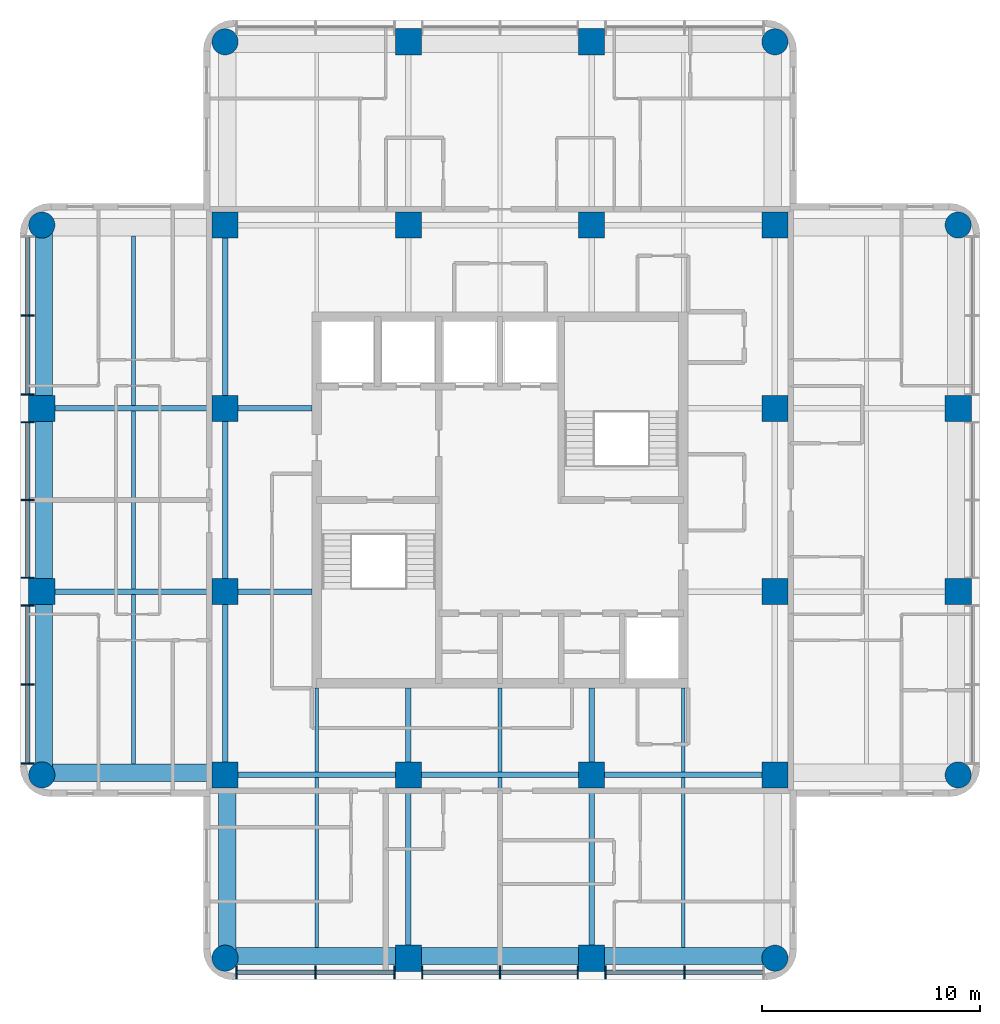
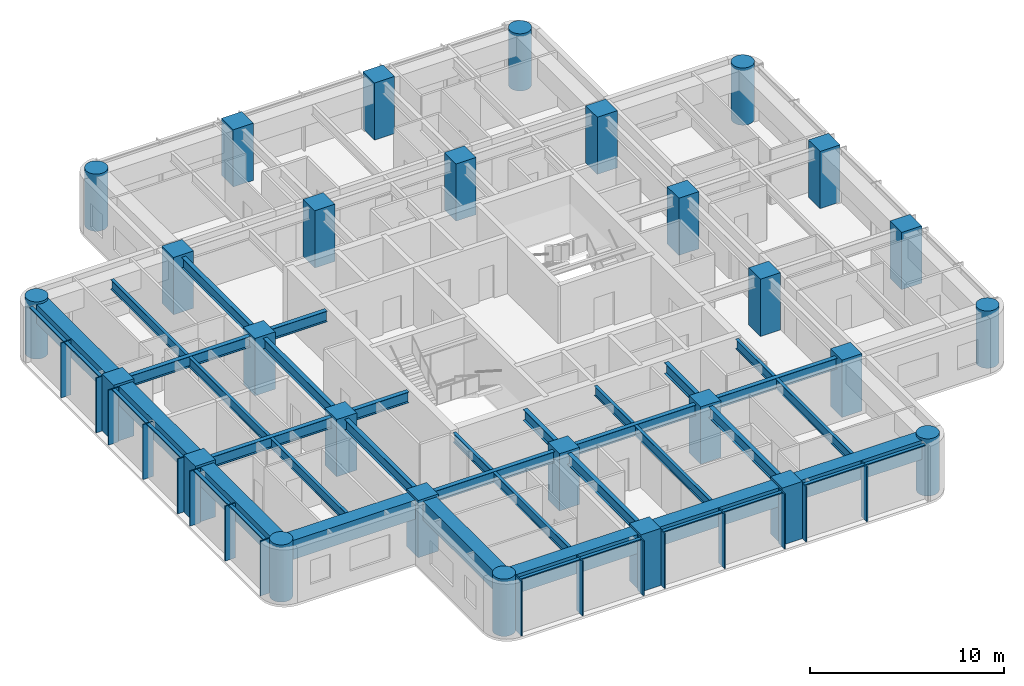
# One storey, part 1 of 10: 31 beams, 28 columns, 28 members, 2 elements without a shape of their own.
"""IFC4 building model written with IfcOpenShell, lengths in metres."""

from ifc_helpers import new_model, si_unit, direction, frame, origin, origin_2d, place, context, subcontext, project, spatial, rectangle, circle, i_section, extrude, material, material_profile, profile_set, type_object, element, aggregate, save


model = new_model("IFC4")

# Units and contexts
model_context = context("Model", 3, precision=1e-05, world=origin(), true_north=direction((0.0, 1.0)))
body_context = subcontext(model_context, "Body", "Model", "MODEL_VIEW")
ifc_project = project(units=[si_unit("LENGTHUNIT", "METRE"), si_unit("AREAUNIT", "SQUARE_METRE"), si_unit("VOLUMEUNIT", "CUBIC_METRE"), si_unit("PLANEANGLEUNIT", "RADIAN"), si_unit("MASSUNIT", "GRAM", prefix="KILO")], contexts=[model_context])

# Site, building, storey
site_placement = place(None, origin())
site = spatial("IfcSite", under=ifc_project, at=site_placement, CompositionType="ELEMENT")
building_placement = place(site_placement, origin())
building = spatial("IfcBuilding", under=site, at=building_placement, Name="Torre Alcanfor", CompositionType="ELEMENT")
storey_placement = place(building_placement, frame((0.0, 0.0, 261.300048828125)))
storey = spatial("IfcBuildingStorey", under=building, at=storey_placement, Name="L68", CompositionType="ELEMENT", Elevation=261.300048828125)

# Columns
ifc_material_1 = material(Name="Concrete f'c 70 MPa", Category="concrete")
ifc_material_profile_1 = material_profile(ifc_material_1, rectangle(XDim=1.199951171875, YDim=1.199951171875, at=origin_2d()), Name="1200x1200")
ifc_profile_set_1 = profile_set([ifc_material_profile_1], Name="Concrete f'c 70 MPa")
column_type_1 = type_object("IfcColumnType", Name="RC column 1200x1200 f'c70", PredefinedType="COLUMN", material=ifc_profile_set_1)
for number, where, z_axis, x_axis, name in (
    (1, (8.39990234375, 25.199951171875, 0.0), (0.0, 0.0, 1.0), (1.0, 0.0, 0.0), "Column 2/F L68"),
    (2, (8.39990234375, 33.60009765625, 0.0), (0.0, 0.0, 1.0), (1.0, 0.0, 0.0), "Column 2/G L68"),
    (3, (16.800048828125, 16.800048828125, 0.0), (0.0, 0.0, 1.0), (1.0, 0.0, 0.0), "Column 3/E L68"),
    (4, (16.800048828125, 25.199951171875, 0.0), (0.0, 0.0, 1.0), (1.0, 0.0, 0.0), "Column 3/F L68"),
    (5, (16.800048828125, 33.60009765625, 0.0), (0.0, 0.0, 1.0), (1.0, 0.0, 0.0), "Column 3/G L68"),
    (6, (16.800048828125, 42.0, 0.0), (0.0, 0.0, 1.0), (1.0, 0.0, 0.0), "Column 3/H L68"),
    (7, (25.199951171875, 8.39990234375, 0.0), (0.0, 0.0, 1.0), (1.0, 0.0, 0.0), "Column 4/D L68"),
    (8, (25.199951171875, 16.800048828125, 0.0), (0.0, 0.0, 1.0), (1.0, 0.0, 0.0), "Column 4/E L68"),
    (9, (25.199951171875, 42.0, 0.0), (0.0, 0.0, 1.0), (1.0, 0.0, 0.0), "Column 4/H L68"),
    (10, (25.199951171875, 50.39990234375, 0.0), (0.0, 0.0, 1.0), (1.0, 0.0, 0.0), "Column 4/J L68"),
    (11, (33.60009765625, 8.39990234375, 0.0), (0.0, 0.0, 1.0), (1.0, 0.0, 0.0), "Column 5/D L68"),
    (12, (33.60009765625, 16.800048828125, 0.0), (0.0, 0.0, 1.0), (1.0, 0.0, 0.0), "Column 5/E L68"),
    (13, (33.60009765625, 42.0, 0.0), (0.0, 0.0, 1.0), (1.0, 0.0, 0.0), "Column 5/H L68"),
    (14, (33.60009765625, 50.39990234375, 0.0), (0.0, 0.0, 1.0), (1.0, 0.0, 0.0), "Column 5/J L68"),
    (15, (42.0, 16.800048828125, 0.0), (0.0, 0.0, 1.0), (1.0, 0.0, 0.0), "Column 6/E L68"),
    (16, (42.0, 25.199951171875, 0.0), (0.0, 0.0, 1.0), (1.0, 0.0, 0.0), "Column 6/F L68"),
    (17, (42.0, 33.60009765625, 0.0), (0.0, 0.0, 1.0), (1.0, 0.0, 0.0), "Column 6/G L68"),
    (18, (42.0, 42.0, 0.0), (0.0, 0.0, 1.0), (1.0, 0.0, 0.0), "Column 6/H L68"),
    (19, (50.39990234375, 25.199951171875, 0.0), (0.0, 0.0, 1.0), (1.0, 0.0, 0.0), "Column 7/F L68"),
    (20, (50.39990234375, 33.60009765625, 0.0), (0.0, 0.0, 1.0), (1.0, 0.0, 0.0), "Column 7/G L68"),
):
    element("IfcColumn", number, at=place(storey_placement, frame(where, z_axis=z_axis, x_axis=x_axis)), inside=storey, type_object=column_type_1, Name=name, PredefinedType="COLUMN", context=body_context, shape_type="SweptSolid", body=[
        extrude(rectangle(XDim=1.199951171875, YDim=1.199951171875, at=origin_2d()), origin(), (0.0, 0.0, 1.0), 3.599853515625),
    ])
ifc_material_2 = material(Name="Concrete f'c 70 MPa", Category="concrete")
ifc_material_profile_2 = material_profile(ifc_material_2, circle(Radius=0.60009765625, at=origin_2d()), Name="D1200")
ifc_profile_set_2 = profile_set([ifc_material_profile_2], Name="Concrete f'c 70 MPa")
column_type_2 = type_object("IfcColumnType", Name="RC column D1200 f'c70", PredefinedType="COLUMN", material=ifc_profile_set_2)
for number, where, z_axis, x_axis, name in (
    (21, (8.39990234375, 16.800048828125, 0.0), (0.0, 0.0, 1.0), (1.0, 0.0, 0.0), "Column 2/E L68"),
    (22, (8.39990234375, 42.0, 0.0), (0.0, 0.0, 1.0), (1.0, 0.0, 0.0), "Column 2/H L68"),
    (23, (16.800048828125, 8.39990234375, 0.0), (0.0, 0.0, 1.0), (1.0, 0.0, 0.0), "Column 3/D L68"),
    (24, (16.800048828125, 50.39990234375, 0.0), (0.0, 0.0, 1.0), (1.0, 0.0, 0.0), "Column 3/J L68"),
    (25, (42.0, 8.39990234375, 0.0), (0.0, 0.0, 1.0), (1.0, 0.0, 0.0), "Column 6/D L68"),
    (26, (42.0, 50.39990234375, 0.0), (0.0, 0.0, 1.0), (1.0, 0.0, 0.0), "Column 6/J L68"),
    (27, (50.39990234375, 16.800048828125, 0.0), (0.0, 0.0, 1.0), (1.0, 0.0, 0.0), "Column 7/E L68"),
    (28, (50.39990234375, 42.0, 0.0), (0.0, 0.0, 1.0), (1.0, 0.0, 0.0), "Column 7/H L68"),
):
    element("IfcColumn", number, at=place(storey_placement, frame(where, z_axis=z_axis, x_axis=x_axis)), inside=storey, type_object=column_type_2, Name=name, PredefinedType="COLUMN", context=body_context, shape_type="SweptSolid", body=[
        extrude(circle(Radius=0.60009765625, at=origin_2d()), origin(), (0.0, 0.0, 1.0), 3.599853515625),
    ])

# Curtain wall, members
ifc_material_3 = material(Name="Aluminium and glass", Category="aluminium")
curtain_wall_type = type_object("IfcCurtainWallType", Name="CW-A unitised apartment glazing with vertical FIN", PredefinedType="NOTDEFINED", material=ifc_material_3)
curtain_wall_1_placement = place(storey_placement, origin())
curtain_wall_1 = element("IfcCurtainWall", 29, at=curtain_wall_1_placement, inside=storey, type_object=curtain_wall_type, Name="Curtain wall CW-A L68 2", PredefinedType="NOTDEFINED")
ifc_material_4 = material(Name="Bronze anodised aluminium", Category="aluminium")
ifc_material_profile_3 = material_profile(ifc_material_4, rectangle(XDim=0.60009765625, YDim=0.06494140625, at=origin_2d()), Name="CW-A mullion 65x600")
ifc_profile_set_3 = profile_set([ifc_material_profile_3], Name="Bronze anodised aluminium")
member_type_1 = type_object("IfcMemberType", Name="CW-A mullion with vertical FIN 65x600", PredefinedType="MULLION", material=ifc_profile_set_3)
member_1_placement = place(storey_placement, frame((7.75, 37.855712890625, 0.0), z_axis=(0.0, 0.0, 1.0), x_axis=(1.0, 0.0, 0.0)))
member_1 = element("IfcMember", 30, at=member_1_placement, type_object=member_type_1, Name="CW-A mullion 1.2", PredefinedType="MULLION", context=body_context, shape_type="SweptSolid", body=[
    extrude(rectangle(XDim=0.60009765625, YDim=0.06494140625, at=origin_2d()), origin(), (0.0, 0.0, 1.0), 3.449951171875),
])
member_2_placement = place(storey_placement, frame((7.75, 34.237548828125, 0.0), z_axis=(0.0, 0.0, 1.0), x_axis=(1.0, 0.0, 0.0)))
member_2 = element("IfcMember", 31, at=member_2_placement, type_object=member_type_1, Name="CW-A mullion 1.3", PredefinedType="MULLION", context=body_context, shape_type="SweptSolid", body=[
    extrude(rectangle(XDim=0.60009765625, YDim=0.06494140625, at=origin_2d()), origin(), (0.0, 0.0, 1.0), 3.449951171875),
])
member_3_placement = place(storey_placement, frame((7.75, 32.96240234375, 0.0), z_axis=(0.0, 0.0, 1.0), x_axis=(1.0, 0.0, 0.0)))
member_3 = element("IfcMember", 32, at=member_3_placement, type_object=member_type_1, Name="CW-A mullion 2.1", PredefinedType="MULLION", context=body_context, shape_type="SweptSolid", body=[
    extrude(rectangle(XDim=0.60009765625, YDim=0.06494140625, at=origin_2d()), origin(), (0.0, 0.0, 1.0), 3.449951171875),
])
member_4_placement = place(storey_placement, frame((7.75, 29.39990234375, 0.0), z_axis=(0.0, 0.0, 1.0), x_axis=(1.0, 0.0, 0.0)))
member_4 = element("IfcMember", 33, at=member_4_placement, type_object=member_type_1, Name="CW-A mullion 2.2", PredefinedType="MULLION", context=body_context, shape_type="SweptSolid", body=[
    extrude(rectangle(XDim=0.60009765625, YDim=0.06494140625, at=origin_2d()), origin(), (0.0, 0.0, 1.0), 3.449951171875),
])
member_5_placement = place(storey_placement, frame((7.75, 25.83740234375, 0.0), z_axis=(0.0, 0.0, 1.0), x_axis=(1.0, 0.0, 0.0)))
member_5 = element("IfcMember", 34, at=member_5_placement, type_object=member_type_1, Name="CW-A mullion 2.3", PredefinedType="MULLION", context=body_context, shape_type="SweptSolid", body=[
    extrude(rectangle(XDim=0.60009765625, YDim=0.06494140625, at=origin_2d()), origin(), (0.0, 0.0, 1.0), 3.449951171875),
])
member_6_placement = place(storey_placement, frame((7.75, 24.5625, 0.0), z_axis=(0.0, 0.0, 1.0), x_axis=(1.0, 0.0, 0.0)))
member_6 = element("IfcMember", 35, at=member_6_placement, type_object=member_type_1, Name="CW-A mullion 3.1", PredefinedType="MULLION", context=body_context, shape_type="SweptSolid", body=[
    extrude(rectangle(XDim=0.60009765625, YDim=0.06494140625, at=origin_2d()), origin(), (0.0, 0.0, 1.0), 3.449951171875),
])
member_7_placement = place(storey_placement, frame((7.75, 20.9443359375, 0.0), z_axis=(0.0, 0.0, 1.0), x_axis=(1.0, 0.0, 0.0)))
member_7 = element("IfcMember", 36, at=member_7_placement, type_object=member_type_1, Name="CW-A mullion 3.2", PredefinedType="MULLION", context=body_context, shape_type="SweptSolid", body=[
    extrude(rectangle(XDim=0.60009765625, YDim=0.06494140625, at=origin_2d()), origin(), (0.0, 0.0, 1.0), 3.449951171875),
])
member_8_placement = place(storey_placement, frame((7.75, 17.325927734375, 0.0), z_axis=(0.0, 0.0, 1.0), x_axis=(1.0, 0.0, 0.0)))
member_8 = element("IfcMember", 37, at=member_8_placement, type_object=member_type_1, Name="CW-A mullion 3.3", PredefinedType="MULLION", context=body_context, shape_type="SweptSolid", body=[
    extrude(rectangle(XDim=0.60009765625, YDim=0.06494140625, at=origin_2d()), origin(), (0.0, 0.0, 1.0), 3.449951171875),
])

curtain_wall_2_placement = place(storey_placement, origin())
curtain_wall_2 = element("IfcCurtainWall", 38, at=curtain_wall_2_placement, inside=storey, type_object=curtain_wall_type, Name="Curtain wall CW-A L68 5", PredefinedType="NOTDEFINED")
member_9_placement = place(storey_placement, frame((17.325927734375, 7.75, 0.0), z_axis=(0.0, 0.0, 1.0), x_axis=(0.0, 1.0, 0.0)))
member_9 = element("IfcMember", 39, at=member_9_placement, type_object=member_type_1, Name="CW-A mullion 1.1", PredefinedType="MULLION", context=body_context, shape_type="SweptSolid", body=[
    extrude(rectangle(XDim=0.60009765625, YDim=0.06494140625, at=origin_2d()), origin(), (0.0, 0.0, 1.0), 3.449951171875),
])
member_10_placement = place(storey_placement, frame((20.9443359375, 7.75, 0.0), z_axis=(0.0, 0.0, 1.0), x_axis=(0.0, 1.0, 0.0)))
member_10 = element("IfcMember", 40, at=member_10_placement, type_object=member_type_1, Name="CW-A mullion 1.2", PredefinedType="MULLION", context=body_context, shape_type="SweptSolid", body=[
    extrude(rectangle(XDim=0.60009765625, YDim=0.06494140625, at=origin_2d()), origin(), (0.0, 0.0, 1.0), 3.449951171875),
])
member_11_placement = place(storey_placement, frame((24.5625, 7.75, 0.0), z_axis=(0.0, 0.0, 1.0), x_axis=(0.0, 1.0, 0.0)))
member_11 = element("IfcMember", 41, at=member_11_placement, type_object=member_type_1, Name="CW-A mullion 1.3", PredefinedType="MULLION", context=body_context, shape_type="SweptSolid", body=[
    extrude(rectangle(XDim=0.60009765625, YDim=0.06494140625, at=origin_2d()), origin(), (0.0, 0.0, 1.0), 3.449951171875),
])
member_12_placement = place(storey_placement, frame((25.83740234375, 7.75, 0.0), z_axis=(0.0, 0.0, 1.0), x_axis=(0.0, 1.0, 0.0)))
member_12 = element("IfcMember", 42, at=member_12_placement, type_object=member_type_1, Name="CW-A mullion 2.1", PredefinedType="MULLION", context=body_context, shape_type="SweptSolid", body=[
    extrude(rectangle(XDim=0.60009765625, YDim=0.06494140625, at=origin_2d()), origin(), (0.0, 0.0, 1.0), 3.449951171875),
])
member_13_placement = place(storey_placement, frame((29.39990234375, 7.75, 0.0), z_axis=(0.0, 0.0, 1.0), x_axis=(0.0, 1.0, 0.0)))
member_13 = element("IfcMember", 43, at=member_13_placement, type_object=member_type_1, Name="CW-A mullion 2.2", PredefinedType="MULLION", context=body_context, shape_type="SweptSolid", body=[
    extrude(rectangle(XDim=0.60009765625, YDim=0.06494140625, at=origin_2d()), origin(), (0.0, 0.0, 1.0), 3.449951171875),
])
member_14_placement = place(storey_placement, frame((32.96240234375, 7.75, 0.0), z_axis=(0.0, 0.0, 1.0), x_axis=(0.0, 1.0, 0.0)))
member_14 = element("IfcMember", 44, at=member_14_placement, type_object=member_type_1, Name="CW-A mullion 2.3", PredefinedType="MULLION", context=body_context, shape_type="SweptSolid", body=[
    extrude(rectangle(XDim=0.60009765625, YDim=0.06494140625, at=origin_2d()), origin(), (0.0, 0.0, 1.0), 3.449951171875),
])
member_15_placement = place(storey_placement, frame((34.237548828125, 7.75, 0.0), z_axis=(0.0, 0.0, 1.0), x_axis=(0.0, 1.0, 0.0)))
member_15 = element("IfcMember", 45, at=member_15_placement, type_object=member_type_1, Name="CW-A mullion 3.1", PredefinedType="MULLION", context=body_context, shape_type="SweptSolid", body=[
    extrude(rectangle(XDim=0.60009765625, YDim=0.06494140625, at=origin_2d()), origin(), (0.0, 0.0, 1.0), 3.449951171875),
])
member_16_placement = place(storey_placement, frame((37.855712890625, 7.75, 0.0), z_axis=(0.0, 0.0, 1.0), x_axis=(0.0, 1.0, 0.0)))
member_16 = element("IfcMember", 46, at=member_16_placement, type_object=member_type_1, Name="CW-A mullion 3.2", PredefinedType="MULLION", context=body_context, shape_type="SweptSolid", body=[
    extrude(rectangle(XDim=0.60009765625, YDim=0.06494140625, at=origin_2d()), origin(), (0.0, 0.0, 1.0), 3.449951171875),
])

# Member
ifc_material_5 = material(Name="Extruded aluminium", Category="aluminium")
ifc_material_profile_4 = material_profile(ifc_material_5, rectangle(XDim=0.199951171875, YDim=0.06494140625, at=origin_2d()), Name="CW-A transom 200x65")
ifc_profile_set_4 = profile_set([ifc_material_profile_4], Name="Extruded aluminium")
member_type_2 = type_object("IfcMemberType", Name="CW-A transom 65x200", PredefinedType="USERDEFINED", material=ifc_profile_set_4)
member_17_placement = place(storey_placement, frame((7.75, 41.44140625, 3.41748046875), z_axis=(0.0, -1.0, 0.0), x_axis=(1.0, 0.0, 0.0)))
member_17 = element("IfcMember", 47, at=member_17_placement, type_object=member_type_2, Name="CW-A transom 1.1.2", ObjectType="TRANSOM", PredefinedType="USERDEFINED", context=body_context, shape_type="SweptSolid", body=[
    extrude(rectangle(XDim=0.199951171875, YDim=0.06494140625, at=origin_2d()), origin(), (0.0, 0.0, 1.0), 3.55322265625),
])

member_18_placement = place(storey_placement, frame((7.75, 37.8232421875, 3.41748046875), z_axis=(0.0, -1.0, 0.0), x_axis=(1.0, 0.0, 0.0)))
member_18 = element("IfcMember", 48, at=member_18_placement, type_object=member_type_2, Name="CW-A transom 1.2.2", ObjectType="TRANSOM", PredefinedType="USERDEFINED", context=body_context, shape_type="SweptSolid", body=[
    extrude(rectangle(XDim=0.199951171875, YDim=0.06494140625, at=origin_2d()), origin(), (0.0, 0.0, 1.0), 3.55322265625),
])

member_19_placement = place(storey_placement, frame((7.75, 32.929931640625, 3.41748046875), z_axis=(0.0, -1.0, 0.0), x_axis=(1.0, 0.0, 0.0)))
member_19 = element("IfcMember", 49, at=member_19_placement, type_object=member_type_2, Name="CW-A transom 2.1.2", ObjectType="TRANSOM", PredefinedType="USERDEFINED", context=body_context, shape_type="SweptSolid", body=[
    extrude(rectangle(XDim=0.199951171875, YDim=0.06494140625, at=origin_2d()), origin(), (0.0, 0.0, 1.0), 3.497314453125),
])

member_20_placement = place(storey_placement, frame((7.75, 29.367431640625, 3.41748046875), z_axis=(0.0, -1.0, 0.0), x_axis=(1.0, 0.0, 0.0)))
member_20 = element("IfcMember", 50, at=member_20_placement, type_object=member_type_2, Name="CW-A transom 2.2.2", ObjectType="TRANSOM", PredefinedType="USERDEFINED", context=body_context, shape_type="SweptSolid", body=[
    extrude(rectangle(XDim=0.199951171875, YDim=0.06494140625, at=origin_2d()), origin(), (0.0, 0.0, 1.0), 3.497314453125),
])

member_21_placement = place(storey_placement, frame((7.75, 24.530029296875, 3.41748046875), z_axis=(0.0, -1.0, 0.0), x_axis=(1.0, 0.0, 0.0)))
member_21 = element("IfcMember", 51, at=member_21_placement, type_object=member_type_2, Name="CW-A transom 3.1.2", ObjectType="TRANSOM", PredefinedType="USERDEFINED", context=body_context, shape_type="SweptSolid", body=[
    extrude(rectangle(XDim=0.199951171875, YDim=0.06494140625, at=origin_2d()), origin(), (0.0, 0.0, 1.0), 3.55322265625),
])

member_22_placement = place(storey_placement, frame((7.75, 20.911865234375, 3.41748046875), z_axis=(0.0, -1.0, 0.0), x_axis=(1.0, 0.0, 0.0)))
member_22 = element("IfcMember", 52, at=member_22_placement, type_object=member_type_2, Name="CW-A transom 3.2.2", ObjectType="TRANSOM", PredefinedType="USERDEFINED", context=body_context, shape_type="SweptSolid", body=[
    extrude(rectangle(XDim=0.199951171875, YDim=0.06494140625, at=origin_2d()), origin(), (0.0, 0.0, 1.0), 3.553466796875),
])

aggregate(curtain_wall_1, [member_1, member_2, member_17, member_18, member_3, member_4, member_5, member_19, member_20, member_6, member_7, member_8, member_21, member_22])

member_23_placement = place(storey_placement, frame((17.3583984375, 7.75, 3.41748046875), z_axis=(1.0, 0.0, 0.0), x_axis=(0.0, 1.0, 0.0)))
member_23 = element("IfcMember", 53, at=member_23_placement, type_object=member_type_2, Name="CW-A transom 1.1.2", ObjectType="TRANSOM", PredefinedType="USERDEFINED", context=body_context, shape_type="SweptSolid", body=[
    extrude(rectangle(XDim=0.199951171875, YDim=0.06494140625, at=origin_2d()), origin(), (0.0, 0.0, 1.0), 3.553466796875),
])

member_24_placement = place(storey_placement, frame((20.976806640625, 7.75, 3.41748046875), z_axis=(1.0, 0.0, 0.0), x_axis=(0.0, 1.0, 0.0)))
member_24 = element("IfcMember", 54, at=member_24_placement, type_object=member_type_2, Name="CW-A transom 1.2.2", ObjectType="TRANSOM", PredefinedType="USERDEFINED", context=body_context, shape_type="SweptSolid", body=[
    extrude(rectangle(XDim=0.199951171875, YDim=0.06494140625, at=origin_2d()), origin(), (0.0, 0.0, 1.0), 3.55322265625),
])

member_25_placement = place(storey_placement, frame((25.8701171875, 7.75, 3.41748046875), z_axis=(1.0, 0.0, 0.0), x_axis=(0.0, 1.0, 0.0)))
member_25 = element("IfcMember", 55, at=member_25_placement, type_object=member_type_2, Name="CW-A transom 2.1.2", ObjectType="TRANSOM", PredefinedType="USERDEFINED", context=body_context, shape_type="SweptSolid", body=[
    extrude(rectangle(XDim=0.199951171875, YDim=0.06494140625, at=origin_2d()), origin(), (0.0, 0.0, 1.0), 3.497314453125),
])

member_26_placement = place(storey_placement, frame((29.4326171875, 7.75, 3.41748046875), z_axis=(1.0, 0.0, 0.0), x_axis=(0.0, 1.0, 0.0)))
member_26 = element("IfcMember", 56, at=member_26_placement, type_object=member_type_2, Name="CW-A transom 2.2.2", ObjectType="TRANSOM", PredefinedType="USERDEFINED", context=body_context, shape_type="SweptSolid", body=[
    extrude(rectangle(XDim=0.199951171875, YDim=0.06494140625, at=origin_2d()), origin(), (0.0, 0.0, 1.0), 3.497314453125),
])

member_27_placement = place(storey_placement, frame((34.27001953125, 7.75, 3.41748046875), z_axis=(1.0, 0.0, 0.0), x_axis=(0.0, 1.0, 0.0)))
member_27 = element("IfcMember", 57, at=member_27_placement, type_object=member_type_2, Name="CW-A transom 3.1.2", ObjectType="TRANSOM", PredefinedType="USERDEFINED", context=body_context, shape_type="SweptSolid", body=[
    extrude(rectangle(XDim=0.199951171875, YDim=0.06494140625, at=origin_2d()), origin(), (0.0, 0.0, 1.0), 3.55322265625),
])

member_28_placement = place(storey_placement, frame((37.88818359375, 7.75, 3.41748046875), z_axis=(1.0, 0.0, 0.0), x_axis=(0.0, 1.0, 0.0)))
member_28 = element("IfcMember", 58, at=member_28_placement, type_object=member_type_2, Name="CW-A transom 3.2.2", ObjectType="TRANSOM", PredefinedType="USERDEFINED", context=body_context, shape_type="SweptSolid", body=[
    extrude(rectangle(XDim=0.199951171875, YDim=0.06494140625, at=origin_2d()), origin(), (0.0, 0.0, 1.0), 3.55322265625),
])

aggregate(curtain_wall_2, [member_9, member_10, member_11, member_23, member_24, member_12, member_13, member_14, member_25, member_26, member_15, member_16, member_27, member_28])

# Beams
ifc_material_6 = material(Name="Steel ASTM A992 Grade 50", Category="steel")
ifc_material_profile_5 = material_profile(ifc_material_6, i_section(OverallWidth=0.25390625, OverallDepth=0.683349609375, WebThickness=0.012451171875, FlangeThickness=0.01904296875, at=origin_2d()), Name="W27x94")
ifc_profile_set_5 = profile_set([ifc_material_profile_5], Name="Steel ASTM A992 Grade 50")
beam_type_1 = type_object("IfcBeamType", Name="Girder W27x94", PredefinedType="BEAM", material=ifc_profile_set_5)
beam_1_placement = place(storey_placement, frame((16.800048828125, 16.800048828125, 3.1083984375), z_axis=(1.0, 0.0, 0.0), x_axis=(0.0, 1.0, 0.0)))
element("IfcBeam", 59, at=beam_1_placement, inside=storey, type_object=beam_type_1, Name="Beam 3E-4E under L69", PredefinedType="BEAM", context=body_context, shape_type="SweptSolid", body=[
    extrude(i_section(OverallWidth=0.25390625, OverallDepth=0.683349609375, WebThickness=0.012451171875, FlangeThickness=0.01904296875, at=origin_2d()), origin(), (0.0, 0.0, 1.0), 8.39990234375),
])
beam_2_placement = place(storey_placement, frame((25.199951171875, 16.800048828125, 3.1083984375), z_axis=(1.0, 0.0, 0.0), x_axis=(0.0, 1.0, 0.0)))
element("IfcBeam", 60, at=beam_2_placement, inside=storey, type_object=beam_type_1, Name="Beam 4E-5E under L69", PredefinedType="BEAM", context=body_context, shape_type="SweptSolid", body=[
    extrude(i_section(OverallWidth=0.25390625, OverallDepth=0.683349609375, WebThickness=0.012451171875, FlangeThickness=0.01904296875, at=origin_2d()), origin(), (0.0, 0.0, 1.0), 8.400146484375),
])
beam_3_placement = place(storey_placement, frame((33.60009765625, 16.800048828125, 3.1083984375), z_axis=(1.0, 0.0, 0.0), x_axis=(0.0, 1.0, 0.0)))
element("IfcBeam", 61, at=beam_3_placement, inside=storey, type_object=beam_type_1, Name="Beam 5E-6E under L69", PredefinedType="BEAM", context=body_context, shape_type="SweptSolid", body=[
    extrude(i_section(OverallWidth=0.25390625, OverallDepth=0.683349609375, WebThickness=0.012451171875, FlangeThickness=0.01904296875, at=origin_2d()), origin(), (0.0, 0.0, 1.0), 8.39990234375),
])
for number, where, z_axis, x_axis, name in (
    (62, (8.39990234375, 25.199951171875, 3.1083984375), (1.0, 0.0, 0.0), (0.0, 1.0, 0.0), "Beam 2F-3F under L69"),
    (63, (8.39990234375, 33.60009765625, 3.1083984375), (1.0, 0.0, 0.0), (0.0, 1.0, 0.0), "Beam 2G-3G under L69"),
):
    element("IfcBeam", number, at=place(storey_placement, frame(where, z_axis=z_axis, x_axis=x_axis)), inside=storey, type_object=beam_type_1, Name=name, PredefinedType="BEAM", context=body_context, shape_type="SweptSolid", body=[
        extrude(i_section(OverallWidth=0.25390625, OverallDepth=0.683349609375, WebThickness=0.012451171875, FlangeThickness=0.01904296875, at=origin_2d()), origin(), (0.0, 0.0, 1.0), 8.400146484375),
    ])
beam_4_placement = place(storey_placement, frame((16.800048828125, 16.800048828125, 3.1083984375), z_axis=(0.0, 1.0, 0.0), x_axis=(-1.0, 0.0, 0.0)))
element("IfcBeam", 64, at=beam_4_placement, inside=storey, type_object=beam_type_1, Name="Beam 3E-3F under L69", PredefinedType="BEAM", context=body_context, shape_type="SweptSolid", body=[
    extrude(i_section(OverallWidth=0.25390625, OverallDepth=0.683349609375, WebThickness=0.012451171875, FlangeThickness=0.01904296875, at=origin_2d()), origin(), (0.0, 0.0, 1.0), 8.39990234375),
])
beam_5_placement = place(storey_placement, frame((16.800048828125, 25.199951171875, 3.1083984375), z_axis=(0.0, 1.0, 0.0), x_axis=(-1.0, 0.0, 0.0)))
element("IfcBeam", 65, at=beam_5_placement, inside=storey, type_object=beam_type_1, Name="Beam 3F-3G under L69", PredefinedType="BEAM", context=body_context, shape_type="SweptSolid", body=[
    extrude(i_section(OverallWidth=0.25390625, OverallDepth=0.683349609375, WebThickness=0.012451171875, FlangeThickness=0.01904296875, at=origin_2d()), origin(), (0.0, 0.0, 1.0), 8.400146484375),
])
beam_6_placement = place(storey_placement, frame((16.800048828125, 33.60009765625, 3.1083984375), z_axis=(0.0, 1.0, 0.0), x_axis=(-1.0, 0.0, 0.0)))
element("IfcBeam", 66, at=beam_6_placement, inside=storey, type_object=beam_type_1, Name="Beam 3G-3H under L69", PredefinedType="BEAM", context=body_context, shape_type="SweptSolid", body=[
    extrude(i_section(OverallWidth=0.25390625, OverallDepth=0.683349609375, WebThickness=0.012451171875, FlangeThickness=0.01904296875, at=origin_2d()), origin(), (0.0, 0.0, 1.0), 8.39990234375),
])
for number, where, z_axis, x_axis, name in (
    (67, (25.199951171875, 8.39990234375, 3.1083984375), (0.0, 1.0, 0.0), (-1.0, 0.0, 0.0), "Beam 4D-4E under L69"),
    (68, (33.60009765625, 8.39990234375, 3.1083984375), (0.0, 1.0, 0.0), (-1.0, 0.0, 0.0), "Beam 5D-5E under L69"),
):
    element("IfcBeam", number, at=place(storey_placement, frame(where, z_axis=z_axis, x_axis=x_axis)), inside=storey, type_object=beam_type_1, Name=name, PredefinedType="BEAM", context=body_context, shape_type="SweptSolid", body=[
        extrude(i_section(OverallWidth=0.25390625, OverallDepth=0.683349609375, WebThickness=0.012451171875, FlangeThickness=0.01904296875, at=origin_2d()), origin(), (0.0, 0.0, 1.0), 8.400146484375),
    ])
ifc_material_7 = material(Name="Steel ASTM A992 Grade 50", Category="steel")
ifc_material_profile_6 = material_profile(ifc_material_7, i_section(OverallWidth=0.25390625, OverallDepth=0.683349609375, WebThickness=0.012451171875, FlangeThickness=0.01904296875, at=origin_2d()), Name="W27x94")
ifc_profile_set_6 = profile_set([ifc_material_profile_6], Name="Steel ASTM A992 Grade 50")
beam_type_2 = type_object("IfcBeamType", Name="Girder, part bay W27x94", PredefinedType="BEAM", material=ifc_profile_set_6)
for number, where, z_axis, x_axis, name in (
    (69, (25.199951171875, 16.800048828125, 3.1083984375), (0.0, 1.0, 0.0), (-1.0, 0.0, 0.0), "Beam 4E-420_775 under L69"),
    (70, (33.60009765625, 16.800048828125, 3.1083984375), (0.0, 1.0, 0.0), (-1.0, 0.0, 0.0), "Beam 5E-520_775 under L69"),
    (71, (16.800048828125, 25.199951171875, 3.1083984375), (1.0, 0.0, 0.0), (0.0, 1.0, 0.0), "Beam 3F-20_775F under L69"),
    (72, (16.800048828125, 33.60009765625, 3.1083984375), (1.0, 0.0, 0.0), (0.0, 1.0, 0.0), "Beam 3G-20_775G under L69"),
):
    element("IfcBeam", number, at=place(storey_placement, frame(where, z_axis=z_axis, x_axis=x_axis)), inside=storey, type_object=beam_type_2, Name=name, PredefinedType="BEAM", context=body_context, shape_type="SweptSolid", body=[
        extrude(i_section(OverallWidth=0.25390625, OverallDepth=0.683349609375, WebThickness=0.012451171875, FlangeThickness=0.01904296875, at=origin_2d()), origin(), (0.0, 0.0, 1.0), 3.974853515625),
    ])
ifc_material_8 = material(Name="Concrete f'c 70 MPa", Category="concrete")
ifc_material_profile_7 = material_profile(ifc_material_8, rectangle(XDim=0.800048828125, YDim=1.199951171875, at=origin_2d()), Name="800x1200")
ifc_profile_set_7 = profile_set([ifc_material_profile_7], Name="Concrete f'c 70 MPa")
beam_type_3 = type_object("IfcBeamType", Name="RC perimeter beam 800x1200", PredefinedType="BEAM", material=ifc_profile_set_7)
beam_7_placement = place(storey_placement, frame((16.800048828125, 8.5, 2.849853515625), z_axis=(1.0, 0.0, 0.0), x_axis=(0.0, 1.0, 0.0)))
element("IfcBeam", 73, at=beam_7_placement, inside=storey, type_object=beam_type_3, Name="Beam 3D-4D under L69", PredefinedType="BEAM", context=body_context, shape_type="SweptSolid", body=[
    extrude(rectangle(XDim=0.800048828125, YDim=1.199951171875, at=origin_2d()), origin(), (0.0, 0.0, 1.0), 8.27294921875),
])
beam_8_placement = place(storey_placement, frame((25.326904296875, 8.5, 2.849853515625), z_axis=(1.0, 0.0, 0.0), x_axis=(0.0, 1.0, 0.0)))
element("IfcBeam", 74, at=beam_8_placement, inside=storey, type_object=beam_type_3, Name="Beam 4D-5D under L69", PredefinedType="BEAM", context=body_context, shape_type="SweptSolid", body=[
    extrude(rectangle(XDim=0.800048828125, YDim=1.199951171875, at=origin_2d()), origin(), (0.0, 0.0, 1.0), 8.14599609375),
])
beam_9_placement = place(storey_placement, frame((33.72705078125, 8.5, 2.849853515625), z_axis=(1.0, 0.0, 0.0), x_axis=(0.0, 1.0, 0.0)))
element("IfcBeam", 75, at=beam_9_placement, inside=storey, type_object=beam_type_3, Name="Beam 5D-6D under L69", PredefinedType="BEAM", context=body_context, shape_type="SweptSolid", body=[
    extrude(rectangle(XDim=0.800048828125, YDim=1.199951171875, at=origin_2d()), origin(), (0.0, 0.0, 1.0), 8.27294921875),
])
beam_10_placement = place(storey_placement, frame((8.39990234375, 16.89990234375, 2.849853515625), z_axis=(1.0, 0.0, 0.0), x_axis=(0.0, 1.0, 0.0)))
element("IfcBeam", 76, at=beam_10_placement, inside=storey, type_object=beam_type_3, Name="Beam 2E-3E under L69", PredefinedType="BEAM", context=body_context, shape_type="SweptSolid", body=[
    extrude(rectangle(XDim=0.800048828125, YDim=1.199951171875, at=origin_2d()), origin(), (0.0, 0.0, 1.0), 8.273193359375),
])
beam_11_placement = place(storey_placement, frame((8.5, 16.800048828125, 2.849853515625), z_axis=(0.0, 1.0, 0.0), x_axis=(-1.0, 0.0, 0.0)))
element("IfcBeam", 77, at=beam_11_placement, inside=storey, type_object=beam_type_3, Name="Beam 2E-2F under L69", PredefinedType="BEAM", context=body_context, shape_type="SweptSolid", body=[
    extrude(rectangle(XDim=0.800048828125, YDim=1.199951171875, at=origin_2d()), origin(), (0.0, 0.0, 1.0), 8.27294921875),
])
beam_12_placement = place(storey_placement, frame((8.5, 25.326904296875, 2.849853515625), z_axis=(0.0, 1.0, 0.0), x_axis=(-1.0, 0.0, 0.0)))
element("IfcBeam", 78, at=beam_12_placement, inside=storey, type_object=beam_type_3, Name="Beam 2F-2G under L69", PredefinedType="BEAM", context=body_context, shape_type="SweptSolid", body=[
    extrude(rectangle(XDim=0.800048828125, YDim=1.199951171875, at=origin_2d()), origin(), (0.0, 0.0, 1.0), 8.14599609375),
])
beam_13_placement = place(storey_placement, frame((8.5, 33.72705078125, 2.849853515625), z_axis=(0.0, 1.0, 0.0), x_axis=(-1.0, 0.0, 0.0)))
element("IfcBeam", 79, at=beam_13_placement, inside=storey, type_object=beam_type_3, Name="Beam 2G-2H under L69", PredefinedType="BEAM", context=body_context, shape_type="SweptSolid", body=[
    extrude(rectangle(XDim=0.800048828125, YDim=1.199951171875, at=origin_2d()), origin(), (0.0, 0.0, 1.0), 8.27294921875),
])
beam_14_placement = place(storey_placement, frame((16.89990234375, 8.39990234375, 2.849853515625), z_axis=(0.0, 1.0, 0.0), x_axis=(-1.0, 0.0, 0.0)))
element("IfcBeam", 80, at=beam_14_placement, inside=storey, type_object=beam_type_3, Name="Beam 3D-3E under L69", PredefinedType="BEAM", context=body_context, shape_type="SweptSolid", body=[
    extrude(rectangle(XDim=0.800048828125, YDim=1.199951171875, at=origin_2d()), origin(), (0.0, 0.0, 1.0), 8.273193359375),
])
ifc_material_9 = material(Name="Steel ASTM A992 Grade 50", Category="steel")
ifc_material_profile_8 = material_profile(ifc_material_9, i_section(OverallWidth=0.1787109375, OverallDepth=0.60205078125, WebThickness=0.010986328125, FlangeThickness=0.014892578125, at=origin_2d()), Name="W24x62")
ifc_profile_set_8 = profile_set([ifc_material_profile_8], Name="Steel ASTM A992 Grade 50")
beam_type_4 = type_object("IfcBeamType", Name="Secondary beam W24x62", PredefinedType="BEAM", material=ifc_profile_set_8)
beam_15_placement = place(storey_placement, frame((12.60009765625, 17.300048828125, 3.14892578125), z_axis=(0.0, 1.0, 0.0), x_axis=(-1.0, 0.0, 0.0)))
element("IfcBeam", 81, at=beam_15_placement, inside=storey, type_object=beam_type_4, Name="Beam 12_6E-12_6F under L69", PredefinedType="BEAM", context=body_context, shape_type="SweptSolid", body=[
    extrude(i_section(OverallWidth=0.1787109375, OverallDepth=0.60205078125, WebThickness=0.010986328125, FlangeThickness=0.014892578125, at=origin_2d()), origin(), (0.0, 0.0, 1.0), 7.77294921875),
])
beam_16_placement = place(storey_placement, frame((12.60009765625, 25.326904296875, 3.14892578125), z_axis=(0.0, 1.0, 0.0), x_axis=(-1.0, 0.0, 0.0)))
element("IfcBeam", 82, at=beam_16_placement, inside=storey, type_object=beam_type_4, Name="Beam 12_6F-12_6G under L69", PredefinedType="BEAM", context=body_context, shape_type="SweptSolid", body=[
    extrude(i_section(OverallWidth=0.1787109375, OverallDepth=0.60205078125, WebThickness=0.010986328125, FlangeThickness=0.014892578125, at=origin_2d()), origin(), (0.0, 0.0, 1.0), 8.14599609375),
])
beam_17_placement = place(storey_placement, frame((12.60009765625, 33.72705078125, 3.14892578125), z_axis=(0.0, 1.0, 0.0), x_axis=(-1.0, 0.0, 0.0)))
element("IfcBeam", 83, at=beam_17_placement, inside=storey, type_object=beam_type_4, Name="Beam 12_6G-12_6H under L69", PredefinedType="BEAM", context=body_context, shape_type="SweptSolid", body=[
    extrude(i_section(OverallWidth=0.1787109375, OverallDepth=0.60205078125, WebThickness=0.010986328125, FlangeThickness=0.014892578125, at=origin_2d()), origin(), (0.0, 0.0, 1.0), 7.77294921875),
])
for number, where, z_axis, x_axis, name in (
    (84, (21.0, 8.89990234375, 3.14892578125), (0.0, 1.0, 0.0), (-1.0, 0.0, 0.0), "Beam 21D-21E under L69"),
    (85, (29.39990234375, 8.89990234375, 3.14892578125), (0.0, 1.0, 0.0), (-1.0, 0.0, 0.0), "Beam 29_4D-29_4E under L69"),
    (86, (37.800048828125, 8.89990234375, 3.14892578125), (0.0, 1.0, 0.0), (-1.0, 0.0, 0.0), "Beam 37_8D-37_8E under L69"),
):
    element("IfcBeam", number, at=place(storey_placement, frame(where, z_axis=z_axis, x_axis=x_axis)), inside=storey, type_object=beam_type_4, Name=name, PredefinedType="BEAM", context=body_context, shape_type="SweptSolid", body=[
        extrude(i_section(OverallWidth=0.1787109375, OverallDepth=0.60205078125, WebThickness=0.010986328125, FlangeThickness=0.014892578125, at=origin_2d()), origin(), (0.0, 0.0, 1.0), 7.773193359375),
    ])
ifc_material_10 = material(Name="Steel ASTM A992 Grade 50", Category="steel")
ifc_material_profile_9 = material_profile(ifc_material_10, i_section(OverallWidth=0.1787109375, OverallDepth=0.60205078125, WebThickness=0.010986328125, FlangeThickness=0.014892578125, at=origin_2d()), Name="W24x62")
ifc_profile_set_9 = profile_set([ifc_material_profile_9], Name="Steel ASTM A992 Grade 50")
beam_type_5 = type_object("IfcBeamType", Name="Secondary beam, part bay W24x62", PredefinedType="BEAM", material=ifc_profile_set_9)
for number, where, z_axis, x_axis, name in (
    (87, (21.0, 16.927001953125, 3.14892578125), (0.0, 1.0, 0.0), (-1.0, 0.0, 0.0), "Beam 21E-2120_775 under L69"),
    (88, (29.39990234375, 16.927001953125, 3.14892578125), (0.0, 1.0, 0.0), (-1.0, 0.0, 0.0), "Beam 29_4E-29_420_775 under L69"),
    (89, (37.800048828125, 16.927001953125, 3.14892578125), (0.0, 1.0, 0.0), (-1.0, 0.0, 0.0), "Beam 37_8E-37_820_775 under L69"),
):
    element("IfcBeam", number, at=place(storey_placement, frame(where, z_axis=z_axis, x_axis=x_axis)), inside=storey, type_object=beam_type_5, Name=name, PredefinedType="BEAM", context=body_context, shape_type="SweptSolid", body=[
        extrude(i_section(OverallWidth=0.1787109375, OverallDepth=0.60205078125, WebThickness=0.010986328125, FlangeThickness=0.014892578125, at=origin_2d()), origin(), (0.0, 0.0, 1.0), 3.847900390625),
    ])

save(model, "model.ifc")
